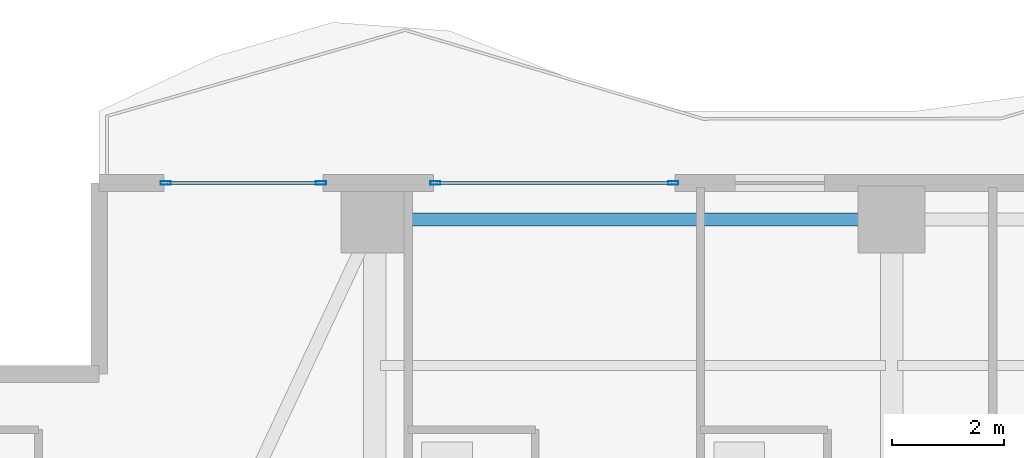
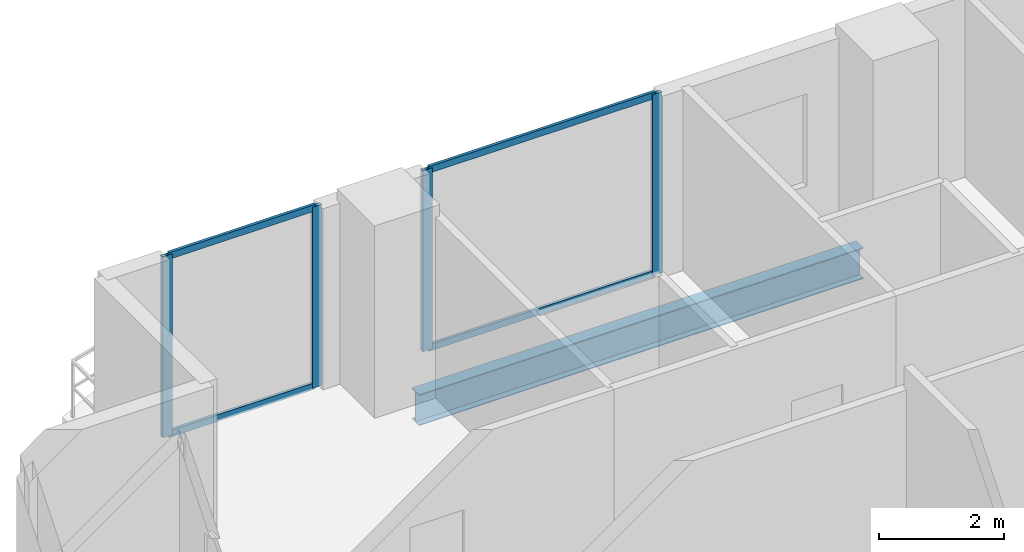
# One storey, part 19 of 32: 8 members, 1 beam, 2 elements without a shape of their own.
"""IFC4 building model written with IfcOpenShell, lengths in metres."""

from ifc_helpers import new_model, si_unit, direction, frame, origin, origin_2d, place, context, subcontext, project, spatial, hollow_rectangle, i_section, extrude, material, layer, layer_set, material_profile, profile_set, type_object, element, aggregate, save


model = new_model("IFC4")

# Units and contexts
model_context = context("Model", 3, precision=1e-05, world=origin(), true_north=direction((0.0, 1.0)))
body_context = subcontext(model_context, "Body", "Model", "MODEL_VIEW")
ifc_project = project(units=[si_unit("LENGTHUNIT", "METRE"), si_unit("AREAUNIT", "SQUARE_METRE"), si_unit("VOLUMEUNIT", "CUBIC_METRE"), si_unit("PLANEANGLEUNIT", "RADIAN"), si_unit("MASSUNIT", "GRAM", prefix="KILO")], contexts=[model_context])

# Site, building, storey
site_placement = place(None, origin())
site = spatial("IfcSite", under=ifc_project, at=site_placement, CompositionType="ELEMENT")
building_placement = place(site_placement, origin())
building = spatial("IfcBuilding", under=site, at=building_placement, Name="Zuhayl Quay Hotel", CompositionType="ELEMENT")
storey_placement = place(building_placement, frame((0.0, 0.0, 203.64990234375)))
storey = spatial("IfcBuildingStorey", under=building, at=storey_placement, Name="L51", CompositionType="ELEMENT", Elevation=203.64990234375)

# Beam
ifc_material_1 = material(Name="Steel ASTM A992 Grade 50", Category="steel")
ifc_material_profile_1 = material_profile(ifc_material_1, i_section(OverallWidth=0.22802734375, OverallDepth=0.60693359375, WebThickness=0.01123046875, FlangeThickness=0.017333984375, at=origin_2d()), Name="W24X76")
ifc_profile_set_1 = profile_set([ifc_material_profile_1], Name="Steel ASTM A992 Grade 50")
beam_type = type_object("IfcBeamType", Name="BM_B3_W24X76", PredefinedType="BEAM", material=ifc_profile_set_1)
beam_placement = place(storey_placement, frame((-5.10009765625, 32.949951171875, -0.5234375), z_axis=(-1.0, 0.0, 0.0), x_axis=(0.0, -1.0, 0.0)))
element("IfcBeam", 1, at=beam_placement, inside=storey, type_object=beam_type, Name="L51 Floor Beam RG_L51_09", PredefinedType="BEAM", context=body_context, shape_type="SweptSolid", body=[
    extrude(i_section(OverallWidth=0.22802734375, OverallDepth=0.60693359375, WebThickness=0.01123046875, FlangeThickness=0.017333984375, at=origin_2d()), origin(), (0.0, 0.0, 1.0), 8.199951171875),
])

# Curtain wall, members
ifc_material_2 = material(Name="Anodised Aluminium 6063-T6", Category="aluminium")
ifc_layer = layer(ifc_material_2, 0.175048828125, Name="Anodised Aluminium 6063-T6", Category="aluminium")
ifc_layer_set = layer_set([ifc_layer], Name="Anodised Aluminium 6063-T6")
curtain_wall_type = type_object("IfcCurtainWallType", Name="CW_SYS_Z3", PredefinedType="USERDEFINED", material=ifc_layer_set)
curtain_wall_1_placement = place(storey_placement, origin())
curtain_wall_1 = element("IfcCurtainWall", 2, at=curtain_wall_1_placement, inside=storey, type_object=curtain_wall_type, Name="L51 Curtain Wall ENV_L51_N_CW1", ObjectType="UNITISED CURTAIN WALL", PredefinedType="USERDEFINED")
ifc_material_3 = material(Name="Black-anodised aluminium 6063-T6", Category="aluminium")
ifc_material_profile_2 = material_profile(ifc_material_3, hollow_rectangle(XDim=0.06494140625, YDim=0.179931640625, WallThickness=0.00341796875, at=origin_2d()), Name="ALU180X65")
ifc_profile_set_2 = profile_set([ifc_material_profile_2], Name="Black-anodised aluminium 6063-T6")
member_type_1 = type_object("IfcMemberType", Name="MB_CW_MUL_180", PredefinedType="MULLION", material=ifc_profile_set_2)
member_1_placement = place(storey_placement, frame((-17.517578125, 33.60009765625, 0.0), z_axis=(0.0, 0.0, 1.0), x_axis=(0.0, 1.0, 0.0)))
member_1 = element("IfcMember", 3, at=member_1_placement, type_object=member_type_1, Name="CW-Z3 mullion 1", PredefinedType="MULLION", context=body_context, shape_type="SweptSolid", body=[
    extrude(hollow_rectangle(XDim=0.06494140625, YDim=0.179931640625, WallThickness=0.00341796875, at=origin_2d()), origin(), (0.0, 0.0, 1.0), 3.530029296875),
])
member_2_placement = place(storey_placement, frame((-14.75244140625, 33.60009765625, 0.0), z_axis=(0.0, 0.0, 1.0), x_axis=(0.0, 1.0, 0.0)))
member_2 = element("IfcMember", 4, at=member_2_placement, type_object=member_type_1, Name="CW-Z3 mullion 2", PredefinedType="MULLION", context=body_context, shape_type="SweptSolid", body=[
    extrude(hollow_rectangle(XDim=0.06494140625, YDim=0.179931640625, WallThickness=0.00341796875, at=origin_2d()), origin(), (0.0, 0.0, 1.0), 3.530029296875),
])

curtain_wall_2_placement = place(storey_placement, origin())
curtain_wall_2 = element("IfcCurtainWall", 5, at=curtain_wall_2_placement, inside=storey, type_object=curtain_wall_type, Name="L51 Curtain Wall ENV_L51_N_CW2", ObjectType="UNITISED CURTAIN WALL", PredefinedType="USERDEFINED")
member_3_placement = place(storey_placement, frame((-12.717529296875, 33.60009765625, 0.0), z_axis=(0.0, 0.0, 1.0), x_axis=(0.0, 1.0, 0.0)))
member_3 = element("IfcMember", 6, at=member_3_placement, type_object=member_type_1, Name="CW-Z3 mullion 1", PredefinedType="MULLION", context=body_context, shape_type="SweptSolid", body=[
    extrude(hollow_rectangle(XDim=0.06494140625, YDim=0.179931640625, WallThickness=0.00341796875, at=origin_2d()), origin(), (0.0, 0.0, 1.0), 3.530029296875),
])
member_4_placement = place(storey_placement, frame((-8.482421875, 33.60009765625, 0.0), z_axis=(0.0, 0.0, 1.0), x_axis=(0.0, 1.0, 0.0)))
member_4 = element("IfcMember", 7, at=member_4_placement, type_object=member_type_1, Name="CW-Z3 mullion 2", PredefinedType="MULLION", context=body_context, shape_type="SweptSolid", body=[
    extrude(hollow_rectangle(XDim=0.06494140625, YDim=0.179931640625, WallThickness=0.00341796875, at=origin_2d()), origin(), (0.0, 0.0, 1.0), 3.530029296875),
])

# Member
ifc_material_profile_3 = material_profile(ifc_material_3, hollow_rectangle(XDim=0.054931640625, YDim=0.1298828125, WallThickness=0.0029296875, at=origin_2d()), Name="ALU130X55")
ifc_profile_set_3 = profile_set([ifc_material_profile_3], Name="Black-anodised aluminium 6063-T6")
member_type_2 = type_object("IfcMemberType", Name="MB_CW_TRN_130", PredefinedType="USERDEFINED", material=ifc_profile_set_3)
member_5_placement = place(storey_placement, frame((-17.485107421875, 33.60009765625, 0.027587890625), z_axis=(1.0, 0.0, 0.0), x_axis=(0.0, 1.0, 0.0)))
member_5 = element("IfcMember", 8, at=member_5_placement, type_object=member_type_2, Name="CW-Z3 transom 1.1", ObjectType="TRANSOM", PredefinedType="USERDEFINED", context=body_context, shape_type="SweptSolid", body=[
    extrude(hollow_rectangle(XDim=0.054931640625, YDim=0.1298828125, WallThickness=0.0029296875, at=origin_2d()), origin(), (0.0, 0.0, 1.0), 2.7001953125),
])

member_6_placement = place(storey_placement, frame((-17.485107421875, 33.60009765625, 3.502685546875), z_axis=(1.0, 0.0, 0.0), x_axis=(0.0, 1.0, 0.0)))
member_6 = element("IfcMember", 9, at=member_6_placement, type_object=member_type_2, Name="CW-Z3 transom 1.2", ObjectType="TRANSOM", PredefinedType="USERDEFINED", context=body_context, shape_type="SweptSolid", body=[
    extrude(hollow_rectangle(XDim=0.054931640625, YDim=0.1298828125, WallThickness=0.0029296875, at=origin_2d()), origin(), (0.0, 0.0, 1.0), 2.7001953125),
])

aggregate(curtain_wall_1, [member_1, member_2, member_5, member_6])

member_7_placement = place(storey_placement, frame((-12.68505859375, 33.60009765625, 0.027587890625), z_axis=(1.0, 0.0, 0.0), x_axis=(0.0, 1.0, 0.0)))
member_7 = element("IfcMember", 10, at=member_7_placement, type_object=member_type_2, Name="CW-Z3 transom 1.1", ObjectType="TRANSOM", PredefinedType="USERDEFINED", context=body_context, shape_type="SweptSolid", body=[
    extrude(hollow_rectangle(XDim=0.054931640625, YDim=0.1298828125, WallThickness=0.0029296875, at=origin_2d()), origin(), (0.0, 0.0, 1.0), 4.170166015625),
])

member_8_placement = place(storey_placement, frame((-12.68505859375, 33.60009765625, 3.502685546875), z_axis=(1.0, 0.0, 0.0), x_axis=(0.0, 1.0, 0.0)))
member_8 = element("IfcMember", 11, at=member_8_placement, type_object=member_type_2, Name="CW-Z3 transom 1.2", ObjectType="TRANSOM", PredefinedType="USERDEFINED", context=body_context, shape_type="SweptSolid", body=[
    extrude(hollow_rectangle(XDim=0.054931640625, YDim=0.1298828125, WallThickness=0.0029296875, at=origin_2d()), origin(), (0.0, 0.0, 1.0), 4.170166015625),
])

aggregate(curtain_wall_2, [member_3, member_4, member_7, member_8])

save(model, "model.ifc")
